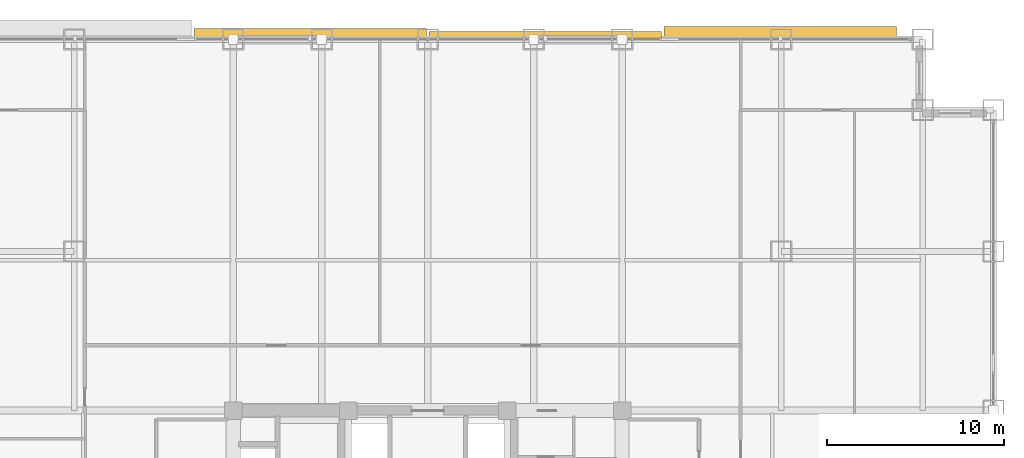
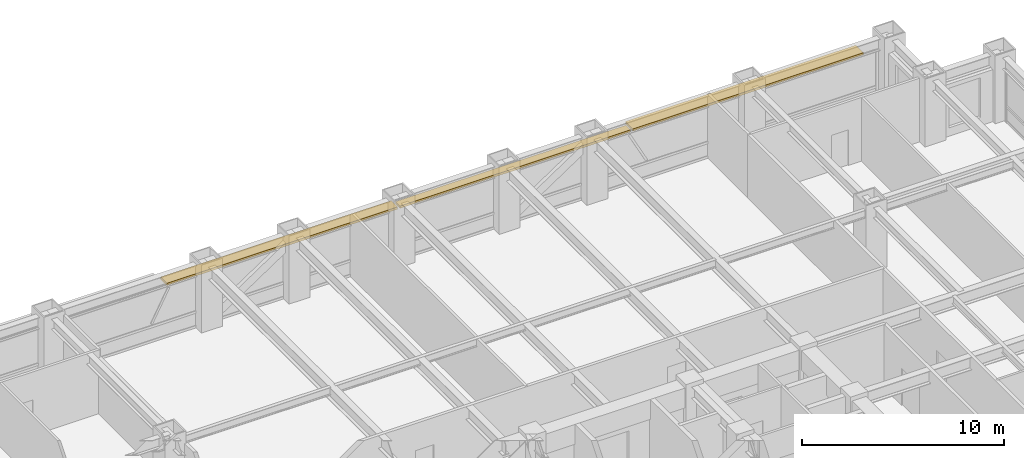
# One storey, part 32 of 32: 3 shading devices.
"""IFC4 building model written with IfcOpenShell, lengths in metres."""

from ifc_helpers import new_model, si_unit, direction, frame, origin, origin_2d, place, context, subcontext, project, spatial, rectangle, extrude, source, transform, mapped, material, layer, layer_set, type_object, element, save


model = new_model("IFC4")

# Units and contexts
model_context = context("Model", 3, precision=1e-05, world=origin(), true_north=direction((0.0, 1.0)))
body_context = subcontext(model_context, "Body", "Model", "MODEL_VIEW")
ifc_project = project(units=[si_unit("LENGTHUNIT", "METRE"), si_unit("AREAUNIT", "SQUARE_METRE"), si_unit("VOLUMEUNIT", "CUBIC_METRE"), si_unit("PLANEANGLEUNIT", "RADIAN"), si_unit("MASSUNIT", "GRAM", prefix="KILO")], contexts=[model_context])

# Site, building, storey
site_placement = place(None, origin())
site = spatial("IfcSite", under=ifc_project, at=site_placement, CompositionType="ELEMENT")
building_placement = place(site_placement, origin())
building = spatial("IfcBuilding", under=site, at=building_placement, Name="Khorayat Bourse Tower", CompositionType="ELEMENT")
storey_placement = place(building_placement, frame((0.0, 0.0, 128.300048828125)))
storey = spatial("IfcBuildingStorey", under=building, at=storey_placement, Name="L29", CompositionType="ELEMENT", Elevation=128.300048828125)

# Shading devices
ifc_material = material(Name="Precast concrete C45/55", Category="concrete")
ifc_layer = layer(ifc_material, 0.139892578125)
ifc_layer_set = layer_set([ifc_layer], Name="Precast concrete C45/55")
shading_device_type = type_object("IfcShadingDeviceType", Name="SHD-WAVE-TRAY-B", PredefinedType="USERDEFINED", material=ifc_layer_set)
shared_shape_1 = source(origin(), body_context, "Body", "SweptSolid", [
    extrude(rectangle(XDim=13.159912109375, YDim=0.751953125, at=origin_2d()), origin(), (0.0, 0.0, 1.0), 0.139892578125),
])
shading_device_1_placement = place(storey_placement, frame((19.949951171875, 32.35595703125, 3.08984375), z_axis=(0.0, 0.0, 1.0), x_axis=(1.0, 0.0, 0.0)))
element("IfcShadingDevice", 1, at=shading_device_1_placement, inside=storey, type_object=shading_device_type, Name="L29 Sinusoidal Wave Sunshade Tray N-4", ObjectType="SUNSHADE", PredefinedType="USERDEFINED", context=body_context, shape_type="MappedRepresentation", body=[
    mapped(shared_shape_1, transform((0.0, 0.0, 0.0), scale=1.0)),
])
shared_shape_2 = source(origin(), body_context, "Body", "SweptSolid", [
    extrude(rectangle(XDim=13.159912109375, YDim=0.45458984375, at=origin_2d()), origin(), (0.0, 0.0, 1.0), 0.139892578125),
])
shading_device_2_placement = place(storey_placement, frame((6.64990234375, 32.207275390625, 3.08984375), z_axis=(0.0, 0.0, 1.0), x_axis=(1.0, 0.0, 0.0)))
element("IfcShadingDevice", 2, at=shading_device_2_placement, inside=storey, type_object=shading_device_type, Name="L29 Sinusoidal Wave Sunshade Tray N-3", ObjectType="SUNSHADE", PredefinedType="USERDEFINED", context=body_context, shape_type="MappedRepresentation", body=[
    mapped(shared_shape_2, transform((0.0, 0.0, 0.0), scale=1.0)),
])
shared_shape_3 = source(origin(), body_context, "Body", "SweptSolid", [
    extrude(rectangle(XDim=13.159912109375, YDim=0.63818359375, at=origin_2d()), origin(), (0.0, 0.0, 1.0), 0.139892578125),
])
shading_device_3_placement = place(storey_placement, frame((-6.64990234375, 32.299072265625, 3.08984375), z_axis=(0.0, 0.0, 1.0), x_axis=(1.0, 0.0, 0.0)))
element("IfcShadingDevice", 3, at=shading_device_3_placement, inside=storey, type_object=shading_device_type, Name="L29 Sinusoidal Wave Sunshade Tray N-2", ObjectType="SUNSHADE", PredefinedType="USERDEFINED", context=body_context, shape_type="MappedRepresentation", body=[
    mapped(shared_shape_3, transform((0.0, 0.0, 0.0), scale=1.0)),
])

save(model, "model.ifc")
